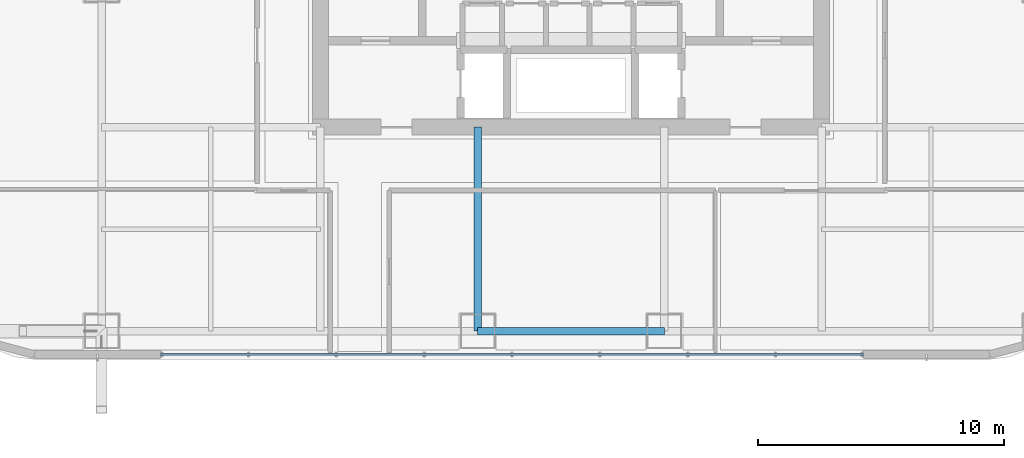
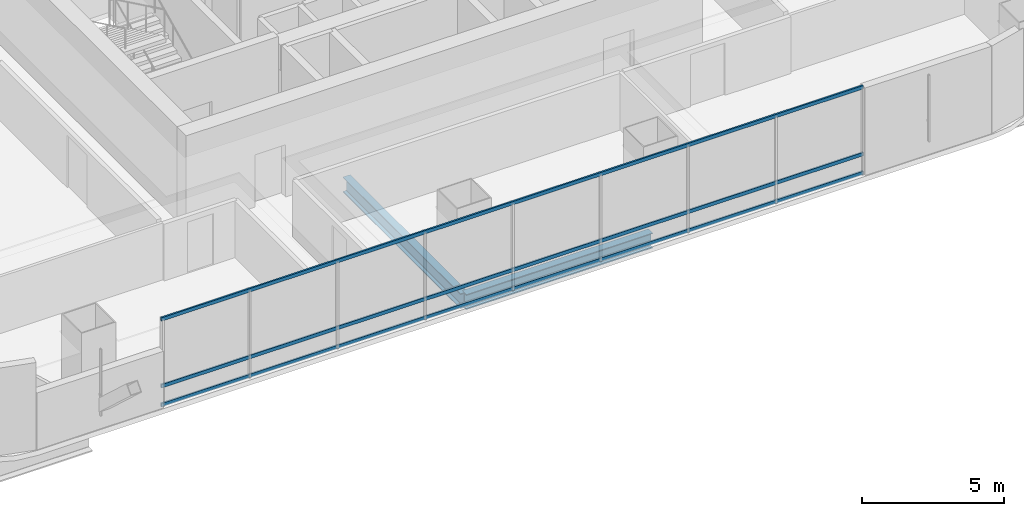
# One storey, part 7 of 47: 3 members, 2 beams, 1 element without a shape of its own.
"""IFC4 building model written with IfcOpenShell, lengths in metres."""

from ifc_helpers import new_model, si_unit, direction, frame, origin, origin_2d, place, context, subcontext, project, spatial, hollow_rectangle, i_section, extrude, material, material_profile, profile_set, type_object, element, aggregate, save


model = new_model("IFC4")

# Units and contexts
model_context = context("Model", 3, precision=1e-05, world=origin(), true_north=direction((0.0, 1.0)))
body_context = subcontext(model_context, "Body", "Model", "MODEL_VIEW")
ifc_project = project(units=[si_unit("LENGTHUNIT", "METRE"), si_unit("AREAUNIT", "SQUARE_METRE"), si_unit("VOLUMEUNIT", "CUBIC_METRE"), si_unit("PLANEANGLEUNIT", "RADIAN"), si_unit("MASSUNIT", "GRAM", prefix="KILO")], contexts=[model_context])

# Site, building, storey
site_placement = place(None, origin())
site = spatial("IfcSite", under=ifc_project, at=site_placement, CompositionType="ELEMENT")
building_placement = place(site_placement, origin())
building = spatial("IfcBuilding", under=site, at=building_placement, Name="Punatoya Terracotta Tower", CompositionType="ELEMENT")
storey_placement = place(building_placement, frame((0.0, 0.0, 168.14990234375)))
storey = spatial("IfcBuildingStorey", under=building, at=storey_placement, Name="L39", CompositionType="ELEMENT", Elevation=168.14990234375)

# Beams
ifc_material_1 = material(Name="Steel S355", Category="steel")
ifc_material_profile_1 = material_profile(ifc_material_1, i_section(OverallWidth=0.300048828125, OverallDepth=0.64990234375, WebThickness=0.01611328125, FlangeThickness=0.031005859375, FilletRadius=0.01806640625, at=origin_2d()))
ifc_profile_set_1 = profile_set([ifc_material_profile_1], Name="Steel S355")
beam_type = type_object("IfcBeamType", Name="BM-PRI-650", PredefinedType="BEAM", material=ifc_profile_set_1)
beam_1_placement = place(storey_placement, frame((-3.800048828125, -17.5, -0.544921875), z_axis=(1.0, 0.0, 0.0), x_axis=(0.0, 1.0, 0.0)))
element("IfcBeam", 1, at=beam_1_placement, inside=storey, type_object=beam_type, Name="BM-L39-RG-S2", PredefinedType="BEAM", context=body_context, shape_type="SweptSolid", body=[
    extrude(i_section(OverallWidth=0.300048828125, OverallDepth=0.64990234375, WebThickness=0.01611328125, FlangeThickness=0.031005859375, FilletRadius=0.01806640625, at=origin_2d()), origin(), (0.0, 0.0, 1.0), 7.60009765625),
])
beam_2_placement = place(storey_placement, frame((-3.800048828125, -17.5, -0.544921875), z_axis=(0.0, 1.0, 0.0), x_axis=(-1.0, 0.0, 0.0)))
element("IfcBeam", 2, at=beam_2_placement, inside=storey, type_object=beam_type, Name="BM-L39-PR-S2", PredefinedType="BEAM", context=body_context, shape_type="SweptSolid", body=[
    extrude(i_section(OverallWidth=0.300048828125, OverallDepth=0.64990234375, WebThickness=0.01611328125, FlangeThickness=0.031005859375, FilletRadius=0.01806640625, at=origin_2d()), origin(), (0.0, 0.0, 1.0), 8.300048828125),
])

# Curtain wall, members
ifc_material_2 = material(Name="Aluminium 6063-T6 + Double Low-E Glass", Category="aluminium")
curtain_wall_type = type_object("IfcCurtainWallType", Name="CW-M2", PredefinedType="NOTDEFINED", material=ifc_material_2)
curtain_wall_placement = place(storey_placement, origin())
curtain_wall = element("IfcCurtainWall", 3, at=curtain_wall_placement, inside=storey, type_object=curtain_wall_type, Name="L39 Curtain Wall CW-L39-S01-1", PredefinedType="NOTDEFINED")
ifc_material_3 = material(Name="Aluminium 6063-T6", Category="aluminium")
ifc_material_profile_2 = material_profile(ifc_material_3, hollow_rectangle(XDim=0.068115234375, YDim=0.14990234375, WallThickness=0.00390625, at=origin_2d()))
ifc_profile_set_2 = profile_set([ifc_material_profile_2], Name="Aluminium 6063-T6")
member_type = type_object("IfcMemberType", Name="CW-TRN-TYP", PredefinedType="USERDEFINED", material=ifc_profile_set_2)
member_1_placement = place(storey_placement, frame((-16.699951171875, -18.449951171875, 0.0400390625), z_axis=(1.0, 0.0, 0.0), x_axis=(0.0, 1.0, 0.0)))
member_1 = element("IfcMember", 4, at=member_1_placement, type_object=member_type, Name="CW-L39-S01-1 Transom 1", ObjectType="TRANSOM", PredefinedType="USERDEFINED", context=body_context, shape_type="SweptSolid", body=[
    extrude(hollow_rectangle(XDim=0.068115234375, YDim=0.14990234375, WallThickness=0.00390625, at=origin_2d()), origin(), (0.0, 0.0, 1.0), 28.599853515625),
])
member_2_placement = place(storey_placement, frame((-16.699951171875, -18.449951171875, 0.85009765625), z_axis=(1.0, 0.0, 0.0), x_axis=(0.0, 1.0, 0.0)))
member_2 = element("IfcMember", 5, at=member_2_placement, type_object=member_type, Name="CW-L39-S01-1 Transom 2", ObjectType="TRANSOM", PredefinedType="USERDEFINED", context=body_context, shape_type="SweptSolid", body=[
    extrude(hollow_rectangle(XDim=0.068115234375, YDim=0.14990234375, WallThickness=0.00390625, at=origin_2d()), origin(), (0.0, 0.0, 1.0), 28.599853515625),
])
member_3_placement = place(storey_placement, frame((-16.699951171875, -18.449951171875, 3.72998046875), z_axis=(1.0, 0.0, 0.0), x_axis=(0.0, 1.0, 0.0)))
member_3 = element("IfcMember", 6, at=member_3_placement, type_object=member_type, Name="CW-L39-S01-1 Transom 3", ObjectType="TRANSOM", PredefinedType="USERDEFINED", context=body_context, shape_type="SweptSolid", body=[
    extrude(hollow_rectangle(XDim=0.068115234375, YDim=0.14990234375, WallThickness=0.00390625, at=origin_2d()), origin(), (0.0, 0.0, 1.0), 28.599853515625),
])
aggregate(curtain_wall, [member_1, member_2, member_3])

save(model, "model.ifc")
